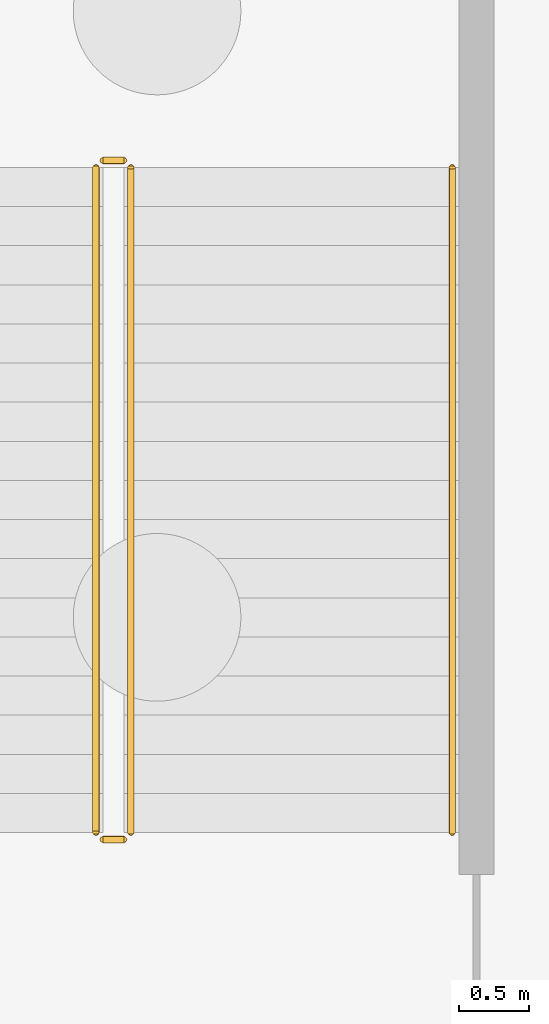
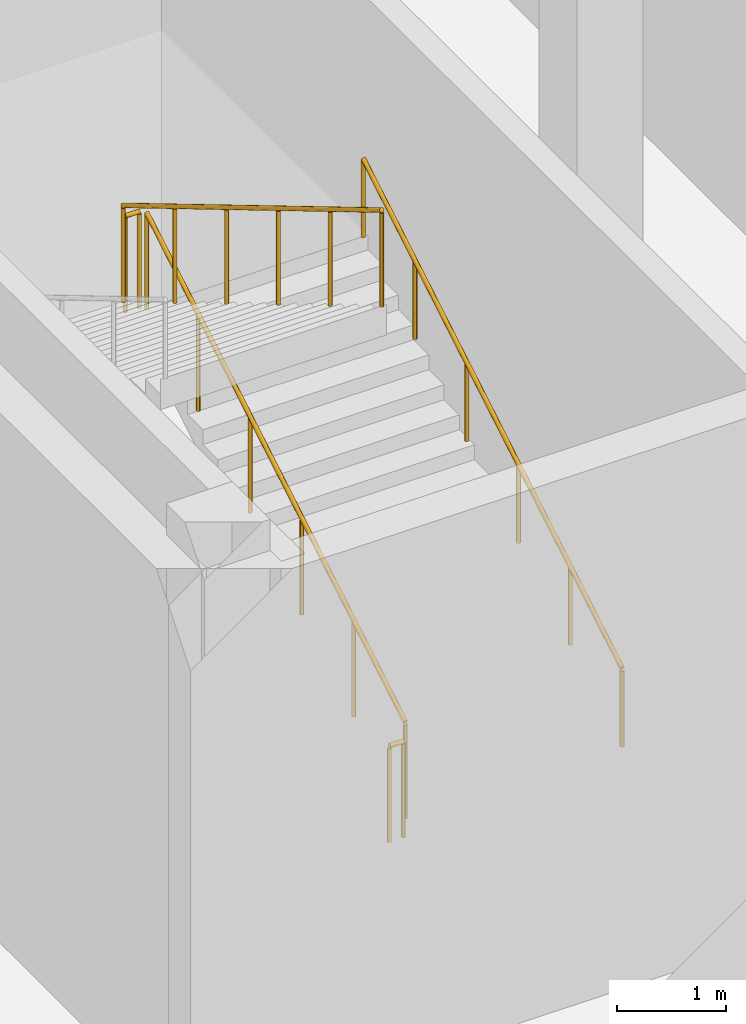
# One storey, part 39 of 45: 5 railings.
"""IFC4 building model written with IfcOpenShell, lengths in metres."""

from ifc_helpers import new_model, si_unit, direction, frame, origin, origin_2d, place, context, subcontext, project, spatial, circle, extrude, material, type_object, element, save


model = new_model("IFC4")

# Units and contexts
model_context = context("Model", 3, precision=1e-05, world=origin(), true_north=direction((0.0, 1.0)))
body_context = subcontext(model_context, "Body", "Model", "MODEL_VIEW")
ifc_project = project(units=[si_unit("LENGTHUNIT", "METRE"), si_unit("AREAUNIT", "SQUARE_METRE"), si_unit("VOLUMEUNIT", "CUBIC_METRE"), si_unit("PLANEANGLEUNIT", "RADIAN"), si_unit("MASSUNIT", "GRAM", prefix="KILO")], contexts=[model_context])

# Site, building, storey
site_placement = place(None, origin())
site = spatial("IfcSite", under=ifc_project, at=site_placement, CompositionType="ELEMENT")
building_placement = place(site_placement, origin())
building = spatial("IfcBuilding", under=site, at=building_placement, Name="Tamorin Gate", CompositionType="ELEMENT")
storey_placement = place(building_placement, frame((0.0, 0.0, -6.0)))
storey = spatial("IfcBuildingStorey", under=building, at=storey_placement, Name="B1", CompositionType="ELEMENT", Elevation=-6.0)

# Railings
ifc_material = material(Name="Steel, galvanised", Category="steel")
railing_type_1 = type_object("IfcRailingType", Name="Steel guard 1100 museum", PredefinedType="GUARDRAIL", material=ifc_material)
railing_1_placement = place(storey_placement, frame((148.89990234375, 57.800048828125, 0.166748046875)))
element("IfcRailing", 1, at=railing_1_placement, inside=storey, type_object=railing_type_1, Name="B1 PS8 stair guard 1", PredefinedType="GUARDRAIL", context=body_context, shape_type="SweptSolid", body=[
    extrude(circle(Radius=0.02392578125, at=origin_2d()), frame((0.0, 0.0, 1.076171875), z_axis=(0.0, 0.859299802514, 0.511472237174), x_axis=(-1.0, 0.0, 0.0)), (0.0, 0.0, 1.0), 5.539306640625),
    extrude(circle(Radius=0.02099609375, at=origin_2d()), origin(), (0.0, 0.0, 1.0), 1.052001953125),
    extrude(circle(Radius=0.02099609375, at=origin_2d()), frame((0.0, 0.951904296875, 0.566650390625)), (0.0, 0.0, 1.0), 1.052001953125),
    extrude(circle(Radius=0.02099609375, at=origin_2d()), frame((0.0, 1.904052734375, 1.13330078125)), (0.0, 0.0, 1.0), 1.052001953125),
    extrude(circle(Radius=0.02099609375, at=origin_2d()), frame((0.0, 2.85595703125, 1.699951171875)), (0.0, 0.0, 1.0), 1.052001953125),
    extrude(circle(Radius=0.02099609375, at=origin_2d()), frame((0.0, 3.80810546875, 2.2666015625)), (0.0, 0.0, 1.0), 1.052001953125),
    extrude(circle(Radius=0.02099609375, at=origin_2d()), frame((0.0, 4.760009765625, 2.833251953125)), (0.0, 0.0, 1.0), 1.052001953125),
])
railing_2_placement = place(storey_placement, frame((148.85009765625, 62.610107421875, 3.0)))
element("IfcRailing", 2, at=railing_2_placement, inside=storey, type_object=railing_type_1, Name="B1 PS8 stair guard 2", PredefinedType="GUARDRAIL", context=body_context, shape_type="SweptSolid", body=[
    extrude(circle(Radius=0.02392578125, at=origin_2d()), frame((0.0, 0.0, 1.076171875), z_axis=(-1.0, 0.0, 0.0), x_axis=(0.0, -1.0, 0.0)), (0.0, 0.0, 1.0), 0.150146484375),
    extrude(circle(Radius=0.02099609375, at=origin_2d()), origin(), (0.0, 0.0, 1.0), 1.052001953125),
    extrude(circle(Radius=0.02099609375, at=origin_2d()), frame((-0.150146484375, 0.0, 0.0)), (0.0, 0.0, 1.0), 1.052001953125),
])
railing_3_placement = place(storey_placement, frame((148.64990234375, 62.56005859375, 3.166748046875)))
element("IfcRailing", 3, at=railing_3_placement, inside=storey, type_object=railing_type_1, Name="B1 PS8 stair guard 3", PredefinedType="GUARDRAIL", context=body_context, shape_type="SweptSolid", body=[
    extrude(circle(Radius=0.02392578125, at=origin_2d()), frame((0.0, 0.0, 1.076171875), z_axis=(0.0, -0.859299802514, 0.511472237174), x_axis=(1.0, 0.0, 0.0)), (0.0, 0.0, 1.0), 5.539306640625),
    extrude(circle(Radius=0.02099609375, at=origin_2d()), origin(), (0.0, 0.0, 1.0), 1.052001953125),
    extrude(circle(Radius=0.02099609375, at=origin_2d()), frame((0.0, -0.951904296875, 0.566650390625)), (0.0, 0.0, 1.0), 1.052001953125),
    extrude(circle(Radius=0.02099609375, at=origin_2d()), frame((0.0, -1.904052734375, 1.13330078125)), (0.0, 0.0, 1.0), 1.052001953125),
    extrude(circle(Radius=0.02099609375, at=origin_2d()), frame((0.0, -2.85595703125, 1.699951171875)), (0.0, 0.0, 1.0), 1.052001953125),
    extrude(circle(Radius=0.02099609375, at=origin_2d()), frame((0.0, -3.80810546875, 2.2666015625)), (0.0, 0.0, 1.0), 1.052001953125),
    extrude(circle(Radius=0.02099609375, at=origin_2d()), frame((0.0, -4.760009765625, 2.833251953125)), (0.0, 0.0, 1.0), 1.052001953125),
])
railing_4_placement = place(storey_placement, frame((148.85009765625, 57.75, 0.0)))
element("IfcRailing", 4, at=railing_4_placement, inside=storey, type_object=railing_type_1, Name="B1 PS8 stair guard 4", PredefinedType="GUARDRAIL", context=body_context, shape_type="SweptSolid", body=[
    extrude(circle(Radius=0.02392578125, at=origin_2d()), frame((0.0, 0.0, 1.076171875), z_axis=(-1.0, 0.0, 0.0), x_axis=(0.0, -1.0, 0.0)), (0.0, 0.0, 1.0), 0.150146484375),
    extrude(circle(Radius=0.02099609375, at=origin_2d()), origin(), (0.0, 0.0, 1.0), 1.052001953125),
    extrude(circle(Radius=0.02099609375, at=origin_2d()), frame((-0.150146484375, 0.0, 0.0)), (0.0, 0.0, 1.0), 1.052001953125),
])
railing_type_2 = type_object("IfcRailingType", Name="Steel handrail 900 museum", PredefinedType="HANDRAIL", material=ifc_material)
railing_5_placement = place(storey_placement, frame((151.199951171875, 57.800048828125, 0.166748046875)))
element("IfcRailing", 5, at=railing_5_placement, inside=storey, type_object=railing_type_2, Name="B1 PS8 stair handrail 1", PredefinedType="HANDRAIL", context=body_context, shape_type="SweptSolid", body=[
    extrude(circle(Radius=0.02392578125, at=origin_2d()), frame((0.0, 0.0, 0.8759765625), z_axis=(0.0, 0.859299802514, 0.511472237174), x_axis=(-1.0, 0.0, 0.0)), (0.0, 0.0, 1.0), 5.539306640625),
    extrude(circle(Radius=0.02099609375, at=origin_2d()), origin(), (0.0, 0.0, 1.0), 0.851806640625),
    extrude(circle(Radius=0.02099609375, at=origin_2d()), frame((0.0, 0.951904296875, 0.566650390625)), (0.0, 0.0, 1.0), 0.851806640625),
    extrude(circle(Radius=0.02099609375, at=origin_2d()), frame((0.0, 1.904052734375, 1.13330078125)), (0.0, 0.0, 1.0), 0.851806640625),
    extrude(circle(Radius=0.02099609375, at=origin_2d()), frame((0.0, 2.85595703125, 1.699951171875)), (0.0, 0.0, 1.0), 0.851806640625),
    extrude(circle(Radius=0.02099609375, at=origin_2d()), frame((0.0, 3.80810546875, 2.2666015625)), (0.0, 0.0, 1.0), 0.851806640625),
    extrude(circle(Radius=0.02099609375, at=origin_2d()), frame((0.0, 4.760009765625, 2.833251953125)), (0.0, 0.0, 1.0), 0.851806640625),
])

save(model, "model.ifc")
